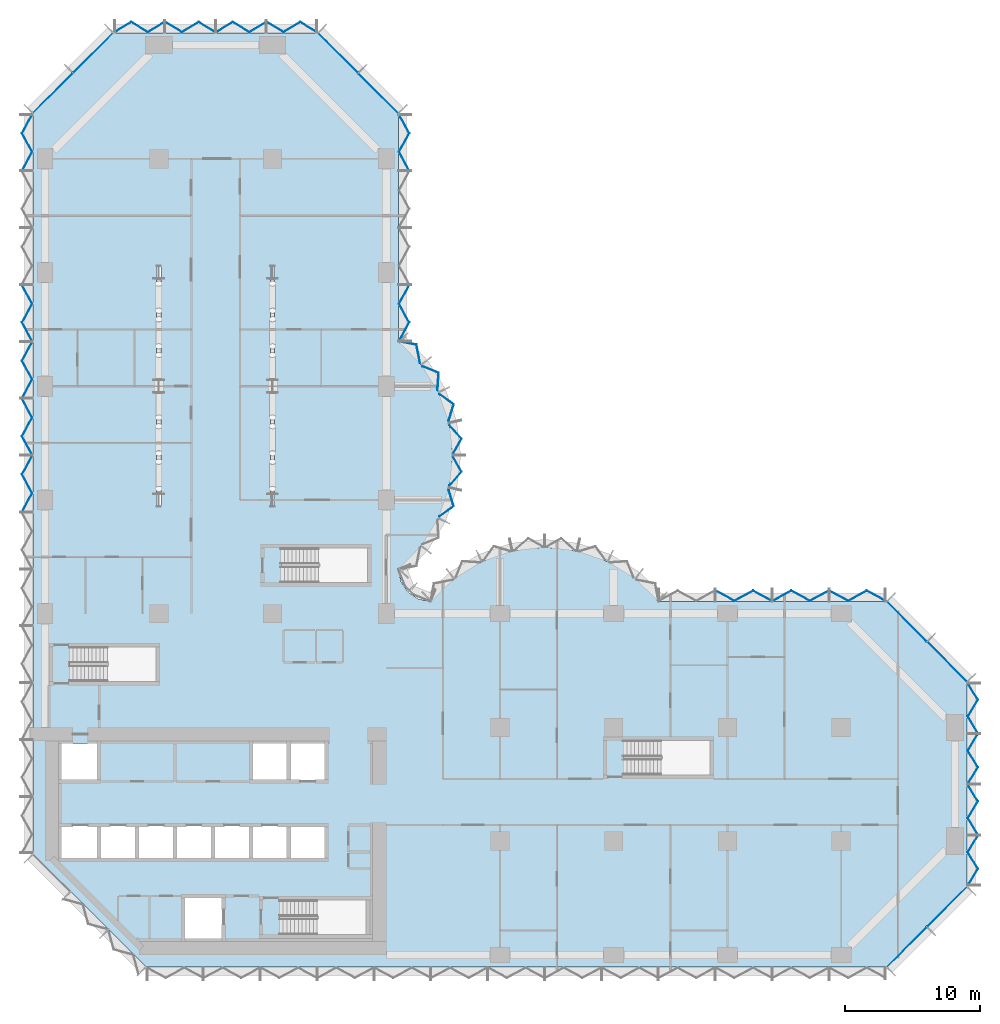
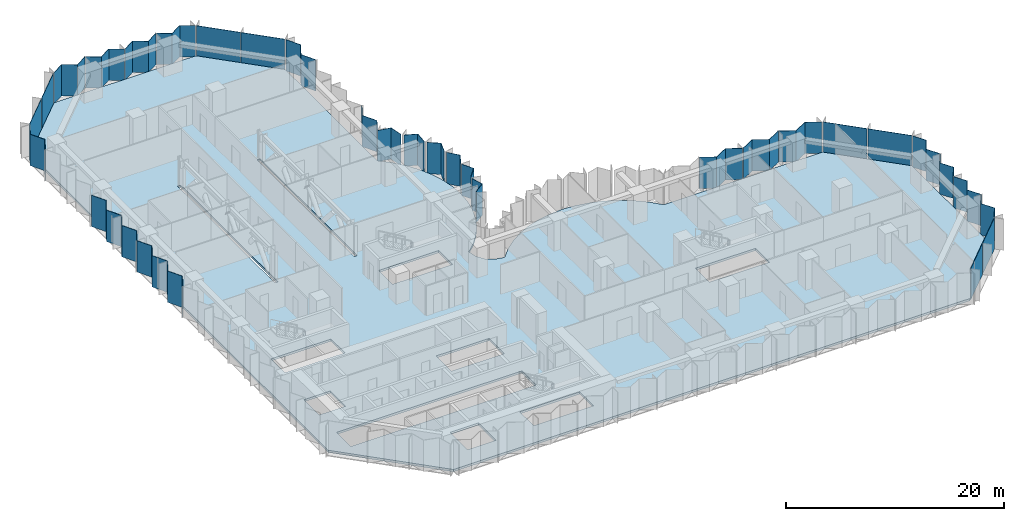
# One storey, part 7 of 18: 32 plates, 1 slab, 10 elements without a shape of their own.
"""IFC4 building model written with IfcOpenShell, lengths in metres."""

from ifc_helpers import new_model, si_unit, direction, frame, origin, place, context, subcontext, project, spatial, polyline, outline, extrude, material, layer, layer_set, type_object, element, aggregate, save


model = new_model("IFC4")

# Units and contexts
model_context = context("Model", 3, precision=1e-05, world=origin(), true_north=direction((0.0, 1.0)))
body_context = subcontext(model_context, "Body", "Model", "MODEL_VIEW")
ifc_project = project(units=[si_unit("LENGTHUNIT", "METRE"), si_unit("AREAUNIT", "SQUARE_METRE"), si_unit("VOLUMEUNIT", "CUBIC_METRE"), si_unit("PLANEANGLEUNIT", "RADIAN"), si_unit("MASSUNIT", "GRAM", prefix="KILO")], contexts=[model_context])

# Site, building, storey
site_placement = place(None, origin())
site = spatial("IfcSite", under=ifc_project, at=site_placement, CompositionType="ELEMENT")
building_placement = place(site_placement, origin())
building = spatial("IfcBuilding", under=site, at=building_placement, Name="Brevane Broadcast Tower", CompositionType="ELEMENT")
storey_placement = place(building_placement, frame((0.0, 0.0, 40.10009765625)))
storey = spatial("IfcBuildingStorey", under=building, at=storey_placement, Name="L07", CompositionType="ELEMENT", Elevation=40.10009765625)

# Curtain wall, plates
ifc_material_1 = material(Name="Aluminium 6063-T6 bronze anodised", Category="aluminium")
curtain_wall_type = type_object("IfcCurtainWallType", Name="CW-1 curtain wall", PredefinedType="NOTDEFINED", material=ifc_material_1)
curtain_wall_1_placement = place(storey_placement, origin())
curtain_wall_1 = element("IfcCurtainWall", 1, at=curtain_wall_1_placement, inside=storey, type_object=curtain_wall_type, Name="CW-1 typical tilted unit L07 south-east chamfer", PredefinedType="NOTDEFINED")
ifc_material_2 = material(Name="Laminated glass bronze-tinted", Category="glass")
ifc_layer_1 = layer(ifc_material_2, 0.0400390625)
ifc_layer_set_1 = layer_set([ifc_layer_1], Name="CW tall glass panel 40")
plate_type = type_object("IfcPlateType", Name="CW tall glass panel 40", PredefinedType="CURTAIN_PANEL", material=ifc_layer_set_1)
plate_1_placement = place(storey_placement, frame((0.0, 0.0, -0.150146484375)))
plate_1 = element("IfcPlate", 2, at=plate_1_placement, type_object=plate_type, Name="CW-1 glass panel", PredefinedType="CURTAIN_PANEL", context=body_context, shape_type="SweptSolid", body=[
    extrude(outline(polyline([(62.14599609375, -0.896484375), (65.096435546875, 2.053955078125), (65.124755859375, 2.02587890625), (62.17431640625, -0.9248046875), (62.14599609375, -0.896484375)])), origin(), (0.0, 0.0, 1.0), 3.5),
])
plate_2_placement = place(storey_placement, frame((0.0, 0.0, -0.150146484375)))
plate_2 = element("IfcPlate", 3, at=plate_2_placement, type_object=plate_type, Name="CW-1 glass panel", PredefinedType="CURTAIN_PANEL", context=body_context, shape_type="SweptSolid", body=[
    extrude(outline(polyline([(65.14599609375, 2.103515625), (68.096435546875, 5.053955078125), (68.124755859375, 5.02587890625), (65.17431640625, 2.0751953125), (65.14599609375, 2.103515625)])), origin(), (0.0, 0.0, 1.0), 3.5),
])
aggregate(curtain_wall_1, [plate_1, plate_2])

curtain_wall_2_placement = place(storey_placement, origin())
curtain_wall_2 = element("IfcCurtainWall", 4, at=curtain_wall_2_placement, inside=storey, type_object=curtain_wall_type, Name="CW-1 typical tilted unit L07 east end", PredefinedType="NOTDEFINED")
plate_3_placement = place(storey_placement, frame((0.0, 0.0, -0.150146484375)))
plate_3 = element("IfcPlate", 5, at=plate_3_placement, type_object=plate_type, Name="CW-1 glass panel", PredefinedType="CURTAIN_PANEL", context=body_context, shape_type="SweptSolid", body=[
    extrude(outline(polyline([(68.126708984375, 5.135009765625), (68.17333984375, 5.135009765625), (68.917724609375, 6.36181640625), (68.17333984375, 7.58837890625), (68.917724609375, 8.81494140625), (68.87109375, 8.81494140625), (68.126708984375, 7.58837890625), (68.87109375, 6.36181640625), (68.126708984375, 5.135009765625)])), origin(), (0.0, 0.0, 1.0), 3.5),
])
plate_4_placement = place(storey_placement, frame((0.0, 0.0, -0.150146484375)))
plate_4 = element("IfcPlate", 6, at=plate_4_placement, type_object=plate_type, Name="CW-1 glass panel", PredefinedType="CURTAIN_PANEL", context=body_context, shape_type="SweptSolid", body=[
    extrude(outline(polyline([(68.87109375, 8.885009765625), (68.917724609375, 8.885009765625), (68.17333984375, 10.11181640625), (68.917724609375, 11.33837890625), (68.17333984375, 12.56494140625), (68.126708984375, 12.56494140625), (68.87109375, 11.33837890625), (68.126708984375, 10.11181640625), (68.87109375, 8.885009765625)])), origin(), (0.0, 0.0, 1.0), 3.5),
])
plate_5_placement = place(storey_placement, frame((0.0, 0.0, -0.150146484375)))
plate_5 = element("IfcPlate", 7, at=plate_5_placement, type_object=plate_type, Name="CW-1 glass panel", PredefinedType="CURTAIN_PANEL", context=body_context, shape_type="SweptSolid", body=[
    extrude(outline(polyline([(68.126708984375, 12.635009765625), (68.17333984375, 12.635009765625), (68.917724609375, 13.86181640625), (68.17333984375, 15.08837890625), (68.917724609375, 16.31494140625), (68.87109375, 16.31494140625), (68.126708984375, 15.08837890625), (68.87109375, 13.86181640625), (68.126708984375, 12.635009765625)])), origin(), (0.0, 0.0, 1.0), 3.5),
])
plate_6_placement = place(storey_placement, frame((0.0, 0.0, -0.150146484375)))
plate_6 = element("IfcPlate", 8, at=plate_6_placement, type_object=plate_type, Name="CW-1 glass panel", PredefinedType="CURTAIN_PANEL", context=body_context, shape_type="SweptSolid", body=[
    extrude(outline(polyline([(68.87109375, 16.385009765625), (68.917724609375, 16.385009765625), (68.17333984375, 17.61181640625), (68.917724609375, 18.83837890625), (68.17333984375, 20.06494140625), (68.126708984375, 20.06494140625), (68.87109375, 18.83837890625), (68.126708984375, 17.61181640625), (68.87109375, 16.385009765625)])), origin(), (0.0, 0.0, 1.0), 3.5),
])
aggregate(curtain_wall_2, [plate_3, plate_4, plate_5, plate_6])

curtain_wall_3_placement = place(storey_placement, origin())
curtain_wall_3 = element("IfcCurtainWall", 9, at=curtain_wall_3_placement, inside=storey, type_object=curtain_wall_type, Name="CW-1 typical tilted unit L07 north-east chamfer", PredefinedType="NOTDEFINED")
plate_7_placement = place(storey_placement, frame((0.0, 0.0, -0.150146484375)))
plate_7 = element("IfcPlate", 10, at=plate_7_placement, type_object=plate_type, Name="CW-1 glass panel", PredefinedType="CURTAIN_PANEL", context=body_context, shape_type="SweptSolid", body=[
    extrude(outline(polyline([(68.096435546875, 20.14599609375), (65.14599609375, 23.096435546875), (65.17431640625, 23.124755859375), (68.124755859375, 20.17431640625), (68.096435546875, 20.14599609375)])), origin(), (0.0, 0.0, 1.0), 3.5),
])
plate_8_placement = place(storey_placement, frame((0.0, 0.0, -0.150146484375)))
plate_8 = element("IfcPlate", 11, at=plate_8_placement, type_object=plate_type, Name="CW-1 glass panel", PredefinedType="CURTAIN_PANEL", context=body_context, shape_type="SweptSolid", body=[
    extrude(outline(polyline([(65.096435546875, 23.14599609375), (62.14599609375, 26.096435546875), (62.17431640625, 26.124755859375), (65.124755859375, 23.17431640625), (65.096435546875, 23.14599609375)])), origin(), (0.0, 0.0, 1.0), 3.5),
])
aggregate(curtain_wall_3, [plate_7, plate_8])

curtain_wall_4_placement = place(storey_placement, origin())
curtain_wall_4 = element("IfcCurtainWall", 12, at=curtain_wall_4_placement, inside=storey, type_object=curtain_wall_type, Name="CW-1 typical tilted unit L07 east arm north face", PredefinedType="NOTDEFINED")
plate_9_placement = place(storey_placement, frame((0.0, 0.0, -0.150146484375)))
plate_9 = element("IfcPlate", 13, at=plate_9_placement, type_object=plate_type, Name="CW-1 glass panel", PredefinedType="CURTAIN_PANEL", context=body_context, shape_type="SweptSolid", body=[
    extrude(outline(polyline([(62.06494140625, 26.127197265625), (62.06494140625, 26.172607421875), (60.688232421875, 26.9169921875), (59.311767578125, 26.172607421875), (57.93505859375, 26.9169921875), (57.93505859375, 26.87158203125), (59.311767578125, 26.127197265625), (60.688232421875, 26.87158203125), (62.06494140625, 26.127197265625)])), origin(), (0.0, 0.0, 1.0), 3.5),
])
plate_10_placement = place(storey_placement, frame((0.0, 0.0, -0.150146484375)))
plate_10 = element("IfcPlate", 14, at=plate_10_placement, type_object=plate_type, Name="CW-1 glass panel", PredefinedType="CURTAIN_PANEL", context=body_context, shape_type="SweptSolid", body=[
    extrude(outline(polyline([(57.864990234375, 26.87158203125), (57.864990234375, 26.9169921875), (56.48828125, 26.172607421875), (55.11181640625, 26.9169921875), (53.735107421875, 26.172607421875), (53.735107421875, 26.127197265625), (55.11181640625, 26.87158203125), (56.48828125, 26.127197265625), (57.864990234375, 26.87158203125)])), origin(), (0.0, 0.0, 1.0), 3.5),
])
plate_11_placement = place(storey_placement, frame((0.0, 0.0, -0.150146484375)))
plate_11 = element("IfcPlate", 15, at=plate_11_placement, type_object=plate_type, Name="CW-1 glass panel", PredefinedType="CURTAIN_PANEL", context=body_context, shape_type="SweptSolid", body=[
    extrude(outline(polyline([(53.6650390625, 26.127197265625), (53.6650390625, 26.172607421875), (52.288330078125, 26.9169921875), (50.91162109375, 26.172607421875), (49.534912109375, 26.9169921875), (49.534912109375, 26.87158203125), (50.91162109375, 26.127197265625), (52.288330078125, 26.87158203125), (53.6650390625, 26.127197265625)])), origin(), (0.0, 0.0, 1.0), 3.5),
])
aggregate(curtain_wall_4, [plate_9, plate_10, plate_11])

curtain_wall_5_placement = place(storey_placement, origin())
curtain_wall_5 = element("IfcCurtainWall", 16, at=curtain_wall_5_placement, inside=storey, type_object=curtain_wall_type, Name="CW-1 typical tilted unit L07 north bow", PredefinedType="NOTDEFINED")
plate_12_placement = place(storey_placement, frame((0.0, 0.0, -0.150146484375)))
plate_12 = element("IfcPlate", 17, at=plate_12_placement, type_object=plate_type, Name="CW-1 glass panel", PredefinedType="CURTAIN_PANEL", context=body_context, shape_type="SweptSolid", body=[
    extrude(outline(polyline([(29.104248046875, 32.400634765625), (29.1455078125, 32.381103515625), (30.20166015625, 33.132080078125), (29.83349609375, 34.349365234375), (29.78857421875, 34.359619140625), (30.155029296875, 33.148193359375), (29.104248046875, 32.400634765625)])), origin(), (0.0, 0.0, 1.0), 3.5),
])
plate_13_placement = place(storey_placement, frame((0.0, 0.0, -0.150146484375)))
plate_13 = element("IfcPlate", 18, at=plate_13_placement, type_object=plate_type, Name="CW-1 glass panel", PredefinedType="CURTAIN_PANEL", context=body_context, shape_type="SweptSolid", body=[
    extrude(outline(polyline([(29.859619140625, 34.6748046875), (29.903564453125, 34.664794921875), (30.779296875, 35.68310546875), (30.15869140625, 36.7919921875), (30.11279296875, 36.7919921875), (30.730712890625, 35.68798828125), (29.859619140625, 34.6748046875)])), origin(), (0.0, 0.0, 1.0), 3.5),
])
plate_14_placement = place(storey_placement, frame((0.0, 0.0, -0.150146484375)))
plate_14 = element("IfcPlate", 19, at=plate_14_placement, type_object=plate_type, Name="CW-1 glass panel", PredefinedType="CURTAIN_PANEL", context=body_context, shape_type="SweptSolid", body=[
    extrude(outline(polyline([(30.11279296875, 37.008056640625), (30.15869140625, 37.008056640625), (30.779296875, 38.116943359375), (29.903564453125, 39.13525390625), (29.859619140625, 39.125), (30.730712890625, 38.112060546875), (30.11279296875, 37.008056640625)])), origin(), (0.0, 0.0, 1.0), 3.5),
])
plate_15_placement = place(storey_placement, frame((0.0, 0.0, -0.150146484375)))
plate_15 = element("IfcPlate", 20, at=plate_15_placement, type_object=plate_type, Name="CW-1 glass panel", PredefinedType="CURTAIN_PANEL", context=body_context, shape_type="SweptSolid", body=[
    extrude(outline(polyline([(29.78857421875, 39.440185546875), (29.83349609375, 39.45068359375), (30.20166015625, 40.667724609375), (29.1455078125, 41.4189453125), (29.104248046875, 41.3994140625), (30.155029296875, 40.65185546875), (29.78857421875, 39.440185546875)])), origin(), (0.0, 0.0, 1.0), 3.5),
])
plate_16_placement = place(storey_placement, frame((0.0, 0.0, -0.150146484375)))
plate_16 = element("IfcPlate", 21, at=plate_16_placement, type_object=plate_type, Name="CW-1 glass panel", PredefinedType="CURTAIN_PANEL", context=body_context, shape_type="SweptSolid", body=[
    extrude(outline(polyline([(28.96533203125, 41.69091796875), (29.006591796875, 41.710693359375), (29.089111328125, 43.00390625), (27.912109375, 43.4853515625), (27.8759765625, 43.45703125), (29.04736328125, 42.977783203125), (28.96533203125, 41.69091796875)])), origin(), (0.0, 0.0, 1.0), 3.5),
])
plate_17_placement = place(storey_placement, frame((0.0, 0.0, -0.150146484375)))
plate_17 = element("IfcPlate", 22, at=plate_17_placement, type_object=plate_type, Name="CW-1 glass panel", PredefinedType="CURTAIN_PANEL", context=body_context, shape_type="SweptSolid", body=[
    extrude(outline(polyline([(27.67626953125, 43.7109375), (27.71142578125, 43.738525390625), (27.447265625, 45.086181640625), (26.17919921875, 45.327880859375), (26.14404296875, 45.2939453125), (27.4130859375, 45.052001953125), (27.67626953125, 43.7109375)])), origin(), (0.0, 0.0, 1.0), 3.5),
])
aggregate(curtain_wall_5, [plate_12, plate_13, plate_14, plate_15, plate_16, plate_17])

curtain_wall_6_placement = place(storey_placement, origin())
curtain_wall_6 = element("IfcCurtainWall", 23, at=curtain_wall_6_placement, inside=storey, type_object=curtain_wall_type, Name="CW-1 typical tilted unit L07 north arm east face", PredefinedType="NOTDEFINED")
plate_18_placement = place(storey_placement, frame((0.0, 0.0, -0.150146484375)))
plate_18 = element("IfcPlate", 24, at=plate_18_placement, type_object=plate_type, Name="CW-1 glass panel", PredefinedType="CURTAIN_PANEL", context=body_context, shape_type="SweptSolid", body=[
    extrude(outline(polyline([(26.127197265625, 45.3349609375), (26.172607421875, 45.3349609375), (26.9169921875, 46.711669921875), (26.172607421875, 48.08837890625), (26.9169921875, 49.465087890625), (26.87158203125, 49.465087890625), (26.127197265625, 48.08837890625), (26.87158203125, 46.711669921875), (26.127197265625, 45.3349609375)])), origin(), (0.0, 0.0, 1.0), 3.5),
])
plate_19_placement = place(storey_placement, frame((0.0, 0.0, -0.150146484375)))
plate_19 = element("IfcPlate", 25, at=plate_19_placement, type_object=plate_type, Name="CW-1 glass panel", PredefinedType="CURTAIN_PANEL", context=body_context, shape_type="SweptSolid", body=[
    extrude(outline(polyline([(26.87158203125, 57.93505859375), (26.9169921875, 57.93505859375), (26.172607421875, 59.311767578125), (26.9169921875, 60.688232421875), (26.172607421875, 62.06494140625), (26.127197265625, 62.06494140625), (26.87158203125, 60.688232421875), (26.127197265625, 59.311767578125), (26.87158203125, 57.93505859375)])), origin(), (0.0, 0.0, 1.0), 3.5),
])
aggregate(curtain_wall_6, [plate_18, plate_19])

curtain_wall_7_placement = place(storey_placement, origin())
curtain_wall_7 = element("IfcCurtainWall", 26, at=curtain_wall_7_placement, inside=storey, type_object=curtain_wall_type, Name="CW-1 typical tilted unit L07 north arm north-east chamfer", PredefinedType="NOTDEFINED")
plate_20_placement = place(storey_placement, frame((0.0, 0.0, -0.150146484375)))
plate_20 = element("IfcPlate", 27, at=plate_20_placement, type_object=plate_type, Name="CW-1 glass panel", PredefinedType="CURTAIN_PANEL", context=body_context, shape_type="SweptSolid", body=[
    extrude(outline(polyline([(26.096435546875, 62.14599609375), (23.14599609375, 65.096435546875), (23.17431640625, 65.124755859375), (26.124755859375, 62.17431640625), (26.096435546875, 62.14599609375)])), origin(), (0.0, 0.0, 1.0), 3.5),
])
plate_21_placement = place(storey_placement, frame((0.0, 0.0, -0.150146484375)))
plate_21 = element("IfcPlate", 28, at=plate_21_placement, type_object=plate_type, Name="CW-1 glass panel", PredefinedType="CURTAIN_PANEL", context=body_context, shape_type="SweptSolid", body=[
    extrude(outline(polyline([(23.096435546875, 65.14599609375), (20.14599609375, 68.096435546875), (20.17431640625, 68.124755859375), (23.124755859375, 65.17431640625), (23.096435546875, 65.14599609375)])), origin(), (0.0, 0.0, 1.0), 3.5),
])
aggregate(curtain_wall_7, [plate_20, plate_21])

curtain_wall_8_placement = place(storey_placement, origin())
curtain_wall_8 = element("IfcCurtainWall", 29, at=curtain_wall_8_placement, inside=storey, type_object=curtain_wall_type, Name="CW-1 typical tilted unit L07 north end", PredefinedType="NOTDEFINED")
plate_22_placement = place(storey_placement, frame((0.0, 0.0, -0.150146484375)))
plate_22 = element("IfcPlate", 30, at=plate_22_placement, type_object=plate_type, Name="CW-1 glass panel", PredefinedType="CURTAIN_PANEL", context=body_context, shape_type="SweptSolid", body=[
    extrude(outline(polyline([(20.06494140625, 68.126708984375), (20.06494140625, 68.17333984375), (18.83837890625, 68.917724609375), (17.61181640625, 68.17333984375), (16.385009765625, 68.917724609375), (16.385009765625, 68.87109375), (17.61181640625, 68.126708984375), (18.83837890625, 68.87109375), (20.06494140625, 68.126708984375)])), origin(), (0.0, 0.0, 1.0), 3.5),
])
plate_23_placement = place(storey_placement, frame((0.0, 0.0, -0.150146484375)))
plate_23 = element("IfcPlate", 31, at=plate_23_placement, type_object=plate_type, Name="CW-1 glass panel", PredefinedType="CURTAIN_PANEL", context=body_context, shape_type="SweptSolid", body=[
    extrude(outline(polyline([(16.31494140625, 68.87109375), (16.31494140625, 68.917724609375), (15.08837890625, 68.17333984375), (13.86181640625, 68.917724609375), (12.635009765625, 68.17333984375), (12.635009765625, 68.126708984375), (13.86181640625, 68.87109375), (15.08837890625, 68.126708984375), (16.31494140625, 68.87109375)])), origin(), (0.0, 0.0, 1.0), 3.5),
])
plate_24_placement = place(storey_placement, frame((0.0, 0.0, -0.150146484375)))
plate_24 = element("IfcPlate", 32, at=plate_24_placement, type_object=plate_type, Name="CW-1 glass panel", PredefinedType="CURTAIN_PANEL", context=body_context, shape_type="SweptSolid", body=[
    extrude(outline(polyline([(12.56494140625, 68.126708984375), (12.56494140625, 68.17333984375), (11.33837890625, 68.917724609375), (10.11181640625, 68.17333984375), (8.885009765625, 68.917724609375), (8.885009765625, 68.87109375), (10.11181640625, 68.126708984375), (11.33837890625, 68.87109375), (12.56494140625, 68.126708984375)])), origin(), (0.0, 0.0, 1.0), 3.5),
])
plate_25_placement = place(storey_placement, frame((0.0, 0.0, -0.150146484375)))
plate_25 = element("IfcPlate", 33, at=plate_25_placement, type_object=plate_type, Name="CW-1 glass panel", PredefinedType="CURTAIN_PANEL", context=body_context, shape_type="SweptSolid", body=[
    extrude(outline(polyline([(8.81494140625, 68.87109375), (8.81494140625, 68.917724609375), (7.58837890625, 68.17333984375), (6.36181640625, 68.917724609375), (5.135009765625, 68.17333984375), (5.135009765625, 68.126708984375), (6.36181640625, 68.87109375), (7.58837890625, 68.126708984375), (8.81494140625, 68.87109375)])), origin(), (0.0, 0.0, 1.0), 3.5),
])
aggregate(curtain_wall_8, [plate_22, plate_23, plate_24, plate_25])

curtain_wall_9_placement = place(storey_placement, origin())
curtain_wall_9 = element("IfcCurtainWall", 34, at=curtain_wall_9_placement, inside=storey, type_object=curtain_wall_type, Name="CW-1 typical tilted unit L07 north-west chamfer", PredefinedType="NOTDEFINED")
plate_26_placement = place(storey_placement, frame((0.0, 0.0, -0.150146484375)))
plate_26 = element("IfcPlate", 35, at=plate_26_placement, type_object=plate_type, Name="CW-1 glass panel", PredefinedType="CURTAIN_PANEL", context=body_context, shape_type="SweptSolid", body=[
    extrude(outline(polyline([(5.053955078125, 68.096435546875), (2.103515625, 65.14599609375), (2.0751953125, 65.17431640625), (5.02587890625, 68.124755859375), (5.053955078125, 68.096435546875)])), origin(), (0.0, 0.0, 1.0), 3.5),
])
plate_27_placement = place(storey_placement, frame((0.0, 0.0, -0.150146484375)))
plate_27 = element("IfcPlate", 36, at=plate_27_placement, type_object=plate_type, Name="CW-1 glass panel", PredefinedType="CURTAIN_PANEL", context=body_context, shape_type="SweptSolid", body=[
    extrude(outline(polyline([(2.053955078125, 65.096435546875), (-0.896484375, 62.14599609375), (-0.9248046875, 62.17431640625), (2.02587890625, 65.124755859375), (2.053955078125, 65.096435546875)])), origin(), (0.0, 0.0, 1.0), 3.5),
])
aggregate(curtain_wall_9, [plate_26, plate_27])

curtain_wall_10_placement = place(storey_placement, origin())
curtain_wall_10 = element("IfcCurtainWall", 37, at=curtain_wall_10_placement, inside=storey, type_object=curtain_wall_type, Name="CW-1 typical tilted unit L07 west face", PredefinedType="NOTDEFINED")
plate_28_placement = place(storey_placement, frame((0.0, 0.0, -0.150146484375)))
plate_28 = element("IfcPlate", 38, at=plate_28_placement, type_object=plate_type, Name="CW-1 glass panel", PredefinedType="CURTAIN_PANEL", context=body_context, shape_type="SweptSolid", body=[
    extrude(outline(polyline([(-0.92724609375, 62.06494140625), (-0.97265625, 62.06494140625), (-1.717041015625, 60.688232421875), (-0.97265625, 59.311767578125), (-1.717041015625, 57.93505859375), (-1.671630859375, 57.93505859375), (-0.92724609375, 59.311767578125), (-1.671630859375, 60.688232421875), (-0.92724609375, 62.06494140625)])), origin(), (0.0, 0.0, 1.0), 3.5),
])
plate_29_placement = place(storey_placement, frame((0.0, 0.0, -0.150146484375)))
plate_29 = element("IfcPlate", 39, at=plate_29_placement, type_object=plate_type, Name="CW-1 glass panel", PredefinedType="CURTAIN_PANEL", context=body_context, shape_type="SweptSolid", body=[
    extrude(outline(polyline([(-1.671630859375, 49.465087890625), (-1.717041015625, 49.465087890625), (-0.97265625, 48.08837890625), (-1.717041015625, 46.711669921875), (-0.97265625, 45.3349609375), (-0.92724609375, 45.3349609375), (-1.671630859375, 46.711669921875), (-0.92724609375, 48.08837890625), (-1.671630859375, 49.465087890625)])), origin(), (0.0, 0.0, 1.0), 3.5),
])
plate_30_placement = place(storey_placement, frame((0.0, 0.0, -0.150146484375)))
plate_30 = element("IfcPlate", 40, at=plate_30_placement, type_object=plate_type, Name="CW-1 glass panel", PredefinedType="CURTAIN_PANEL", context=body_context, shape_type="SweptSolid", body=[
    extrude(outline(polyline([(-0.92724609375, 45.264892578125), (-0.97265625, 45.264892578125), (-1.717041015625, 43.88818359375), (-0.97265625, 42.51171875), (-1.717041015625, 41.135009765625), (-1.671630859375, 41.135009765625), (-0.92724609375, 42.51171875), (-1.671630859375, 43.88818359375), (-0.92724609375, 45.264892578125)])), origin(), (0.0, 0.0, 1.0), 3.5),
])
plate_31_placement = place(storey_placement, frame((0.0, 0.0, -0.150146484375)))
plate_31 = element("IfcPlate", 41, at=plate_31_placement, type_object=plate_type, Name="CW-1 glass panel", PredefinedType="CURTAIN_PANEL", context=body_context, shape_type="SweptSolid", body=[
    extrude(outline(polyline([(-1.671630859375, 41.06494140625), (-1.717041015625, 41.06494140625), (-0.97265625, 39.688232421875), (-1.717041015625, 38.311767578125), (-0.97265625, 36.93505859375), (-0.92724609375, 36.93505859375), (-1.671630859375, 38.311767578125), (-0.92724609375, 39.688232421875), (-1.671630859375, 41.06494140625)])), origin(), (0.0, 0.0, 1.0), 3.5),
])
plate_32_placement = place(storey_placement, frame((0.0, 0.0, -0.150146484375)))
plate_32 = element("IfcPlate", 42, at=plate_32_placement, type_object=plate_type, Name="CW-1 glass panel", PredefinedType="CURTAIN_PANEL", context=body_context, shape_type="SweptSolid", body=[
    extrude(outline(polyline([(-0.92724609375, 36.864990234375), (-0.97265625, 36.864990234375), (-1.717041015625, 35.48828125), (-0.97265625, 34.11181640625), (-1.717041015625, 32.735107421875), (-1.671630859375, 32.735107421875), (-0.92724609375, 34.11181640625), (-1.671630859375, 35.48828125), (-0.92724609375, 36.864990234375)])), origin(), (0.0, 0.0, 1.0), 3.5),
])
aggregate(curtain_wall_10, [plate_28, plate_29, plate_30, plate_31, plate_32])

# Slab
ifc_material_3 = material(Name="Concrete C40/50", Category="concrete")
ifc_layer_2 = layer(ifc_material_3, 0.25)
ifc_layer_set_2 = layer_set([ifc_layer_2], Name="RC FLOOR SLAB 250 C40/50")
slab_type = type_object("IfcSlabType", Name="RC FLOOR SLAB 250 C40/50", PredefinedType="FLOOR", material=ifc_layer_set_2)
slab_placement = place(storey_placement, frame((0.0, 0.0, -0.25)))
element("IfcSlab", 43, at=slab_placement, inside=storey, type_object=slab_type, Name="SL250 L07", PredefinedType="FLOOR", context=body_context, shape_type="SweptSolid", body=[
    extrude(outline(polyline([(-0.89990234375, 7.5), (-0.89990234375, 62.10009765625), (5.10009765625, 68.10009765625), (20.10009765625, 68.10009765625), (26.10009765625, 62.10009765625), (26.10009765625, 45.300048828125), (27.10888671875, 44.36865234375), (27.99169921875, 43.317138671875), (28.734130859375, 42.162353515625), (29.324462890625, 40.922607421875), (29.7529296875, 39.618408203125), (30.012939453125, 38.270263671875), (30.10009765625, 36.89990234375), (30.012939453125, 35.52978515625), (29.7529296875, 34.181640625), (29.324462890625, 32.877197265625), (28.734130859375, 31.6376953125), (27.99169921875, 30.48291015625), (27.10888671875, 29.431396484375), (26.10009765625, 28.5), (26.28271484375, 27.58154296875), (26.802978515625, 26.802978515625), (27.58154296875, 26.28271484375), (28.5, 26.10009765625), (29.431396484375, 27.10888671875), (30.48291015625, 27.99169921875), (31.6376953125, 28.734130859375), (32.877197265625, 29.324462890625), (34.181640625, 29.7529296875), (35.52978515625, 30.012939453125), (36.89990234375, 30.10009765625), (38.270263671875, 30.012939453125), (39.618408203125, 29.7529296875), (40.922607421875, 29.324462890625), (42.162353515625, 28.734130859375), (43.317138671875, 27.99169921875), (44.36865234375, 27.10888671875), (45.300048828125, 26.10009765625), (62.10009765625, 26.10009765625), (68.10009765625, 20.10009765625), (68.10009765625, 5.10009765625), (62.10009765625, -0.89990234375), (7.5, -0.89990234375), (-0.89990234375, 7.5)]), holes=[polyline([(13.199951171875, 1.199951171875), (13.199951171875, 4.39990234375), (10.199951171875, 4.39990234375), (10.199951171875, 1.199951171875), (13.199951171875, 1.199951171875)]), polyline([(6.800048828125, 9.60009765625), (4.0, 9.60009765625), (1.199951171875, 9.60009765625), (1.199951171875, 7.0), (4.0, 7.0), (6.800048828125, 7.0), (9.60009765625, 7.0), (12.39990234375, 7.0), (15.199951171875, 7.0), (18.0, 7.0), (20.800048828125, 7.0), (20.800048828125, 9.60009765625), (18.0, 9.60009765625), (15.199951171875, 9.60009765625), (12.39990234375, 9.60009765625), (9.60009765625, 9.60009765625), (6.800048828125, 9.60009765625)]), polyline([(4.0, 12.800048828125), (4.0, 15.60009765625), (1.199951171875, 15.60009765625), (1.199951171875, 12.800048828125), (4.0, 12.800048828125)]), polyline([(8.199951171875, 22.75), (1.860107421875, 22.75), (1.860107421875, 20.199951171875), (8.199951171875, 20.199951171875), (8.199951171875, 22.75)]), polyline([(8.56005859375, 50.904052734375), (8.239990234375, 50.904052734375), (8.239990234375, 33.095947265625), (8.56005859375, 33.095947265625), (8.56005859375, 50.904052734375)]), polyline([(23.699951171875, 4.050048828125), (17.360107421875, 4.050048828125), (17.360107421875, 1.5), (23.699951171875, 1.5), (23.699951171875, 4.050048828125)]), polyline([(18.0, 15.60009765625), (15.199951171875, 15.60009765625), (15.199951171875, 12.800048828125), (18.0, 12.800048828125), (20.800048828125, 12.800048828125), (20.800048828125, 15.60009765625), (18.0, 15.60009765625)]), polyline([(49.10009765625, 15.85009765625), (42.760009765625, 15.85009765625), (42.760009765625, 13.300048828125), (49.10009765625, 13.300048828125), (49.10009765625, 15.85009765625)]), polyline([(23.800048828125, 27.5), (23.800048828125, 30.050048828125), (17.4599609375, 30.050048828125), (17.4599609375, 27.5), (23.800048828125, 27.5)]), polyline([(16.9599609375, 33.095947265625), (16.9599609375, 50.904052734375), (16.639892578125, 50.904052734375), (16.639892578125, 33.095947265625), (16.9599609375, 33.095947265625)])]), origin(), (0.0, 0.0, 1.0), 0.25),
])

save(model, "model.ifc")
